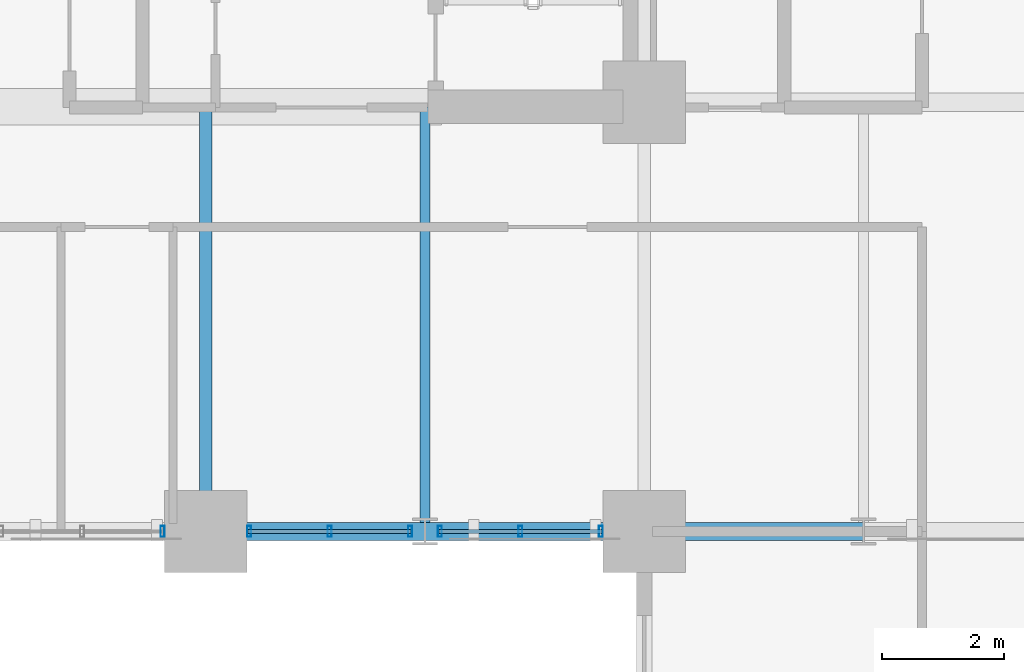
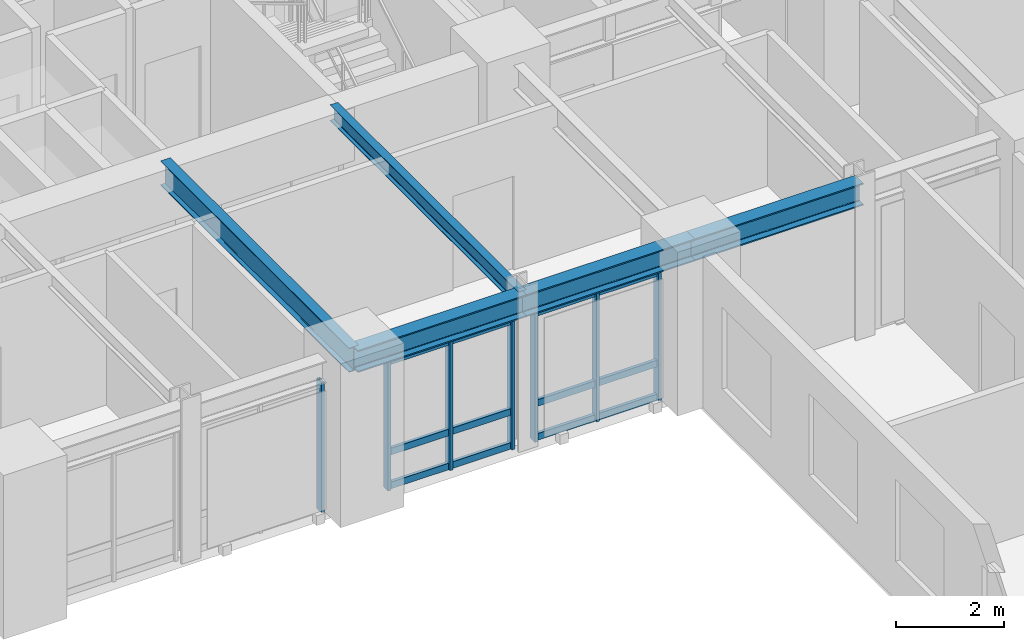
# One storey, part 5 of 17: 13 members, 5 beams, 3 elements without a shape of their own.
"""IFC4 building model written with IfcOpenShell, lengths in metres."""

from ifc_helpers import new_model, si_unit, direction, frame, origin, origin_2d, place, context, subcontext, project, spatial, hollow_rectangle, i_section, extrude, source, transform, mapped, material, layer, layer_set, material_profile, profile_set, type_object, element, aggregate, save


model = new_model("IFC4")

# Units and contexts
model_context = context("Model", 3, precision=1e-05, world=origin(), true_north=direction((0.0, 1.0)))
body_context = subcontext(model_context, "Body", "Model", "MODEL_VIEW")
ifc_project = project(units=[si_unit("LENGTHUNIT", "METRE"), si_unit("AREAUNIT", "SQUARE_METRE"), si_unit("VOLUMEUNIT", "CUBIC_METRE"), si_unit("PLANEANGLEUNIT", "RADIAN"), si_unit("MASSUNIT", "GRAM", prefix="KILO")], contexts=[model_context])

# Site, building, storey
site_placement = place(None, origin())
site = spatial("IfcSite", under=ifc_project, at=site_placement, CompositionType="ELEMENT")
building_placement = place(site_placement, origin())
building = spatial("IfcBuilding", under=site, at=building_placement, Name="Kaliganga Portal Commons", CompositionType="ELEMENT")
storey_placement = place(building_placement, frame((0.0, 0.0, 43.800048828125)))
storey = spatial("IfcBuildingStorey", under=building, at=storey_placement, Name="L10", CompositionType="ELEMENT", Elevation=43.800048828125)

# Beams
ifc_material_1 = material(Name="Structural steel S355J2", Category="steel")
ifc_material_profile_1 = material_profile(ifc_material_1, i_section(OverallWidth=0.300048828125, OverallDepth=0.5, WebThickness=0.014404296875, FlangeThickness=0.028076171875, FilletRadius=0.027099609375, at=origin_2d()), Name="HE 500 B")
ifc_profile_set_1 = profile_set([ifc_material_profile_1], Name="Structural steel S355J2 wide-flange")
beam_type_1 = type_object("IfcBeamType", Name="BM-SPAND-500", PredefinedType="SPANDREL", material=ifc_profile_set_1)
shared_shape_1 = source(origin(), body_context, "Body", "SweptSolid", [
    extrude(i_section(OverallWidth=0.300048828125, OverallDepth=0.5, WebThickness=0.014404296875, FlangeThickness=0.028076171875, FilletRadius=0.027099609375, at=origin_2d()), origin(), (0.0, 0.0, 1.0), 3.60009765625),
])
beam_1_placement = place(storey_placement, frame((25.199951171875, 21.60009765625, 3.199951171875), z_axis=(1.0, 0.0, 0.0), x_axis=(0.0, 1.0, 0.0)))
element("IfcBeam", 1, at=beam_1_placement, inside=storey, type_object=beam_type_1, Name="BM SP L10 AS 4", PredefinedType="SPANDREL", context=body_context, shape_type="MappedRepresentation", body=[
    mapped(shared_shape_1, transform((0.0, 0.0, 0.0), x_axis=(1.0, 0.0, 0.0), y_axis=(0.0, 1.0, 0.0), z_axis=(0.0, 0.0, 1.0), scale=1.0)),
])
shared_shape_2 = source(origin(), body_context, "Body", "SweptSolid", [
    extrude(i_section(OverallWidth=0.300048828125, OverallDepth=0.5, WebThickness=0.014404296875, FlangeThickness=0.028076171875, FilletRadius=0.027099609375, at=origin_2d()), origin(), (0.0, 0.0, 1.0), 3.599853515625),
])
for number, where, z_axis, x_axis, name in (
    (2, (21.60009765625, 21.60009765625, 3.199951171875), (1.0, 0.0, 0.0), (0.0, 1.0, 0.0), "BM SP L10 AS 3"),
    (3, (28.800048828125, 21.60009765625, 3.199951171875), (1.0, 0.0, 0.0), (0.0, 1.0, 0.0), "BM SP L10 AS 5"),
):
    element("IfcBeam", number, at=place(storey_placement, frame(where, z_axis=z_axis, x_axis=x_axis)), inside=storey, type_object=beam_type_1, Name=name, PredefinedType="SPANDREL", context=body_context, shape_type="MappedRepresentation", body=[
        mapped(shared_shape_2, transform((0.0, 0.0, 0.0), x_axis=(1.0, 0.0, 0.0), y_axis=(0.0, 1.0, 0.0), z_axis=(0.0, 0.0, 1.0), scale=1.0)),
    ])
ifc_material_profile_2 = material_profile(ifc_material_1, i_section(OverallWidth=0.169921875, OverallDepth=0.360107421875, WebThickness=0.008056640625, FlangeThickness=0.0126953125, FilletRadius=0.01806640625, at=origin_2d()), Name="IPE 360")
ifc_profile_set_2 = profile_set([ifc_material_profile_2], Name="Structural steel S355J2 wide-flange")
beam_type_2 = type_object("IfcBeamType", Name="BM-JST-360", PredefinedType="JOIST", material=ifc_profile_set_2)
shared_shape_3 = source(origin(), body_context, "Body", "SweptSolid", [
    extrude(i_section(OverallWidth=0.169921875, OverallDepth=0.360107421875, WebThickness=0.008056640625, FlangeThickness=0.0126953125, FilletRadius=0.01806640625, at=origin_2d()), origin(), (0.0, 0.0, 1.0), 6.974853515625),
])
beam_2_placement = place(storey_placement, frame((25.199951171875, 21.60009765625, 3.27001953125), z_axis=(0.0, 1.0, 0.0), x_axis=(-1.0, 0.0, 0.0)))
element("IfcBeam", 4, at=beam_2_placement, inside=storey, type_object=beam_type_2, Name="BM G L10 AS252", PredefinedType="JOIST", context=body_context, shape_type="MappedRepresentation", body=[
    mapped(shared_shape_3, transform((0.0, 0.0, 0.0), x_axis=(1.0, 0.0, 0.0), y_axis=(0.0, 1.0, 0.0), z_axis=(0.0, 0.0, 1.0), scale=1.0)),
])
ifc_material_profile_3 = material_profile(ifc_material_1, i_section(OverallWidth=0.2099609375, OverallDepth=0.550048828125, WebThickness=0.010986328125, FlangeThickness=0.01708984375, FilletRadius=0.02392578125, at=origin_2d()), Name="IPE 550")
ifc_profile_set_3 = profile_set([ifc_material_profile_3], Name="Structural steel S355J2 wide-flange")
beam_type_3 = type_object("IfcBeamType", Name="BM-FLR-550", PredefinedType="BEAM", material=ifc_profile_set_3)
shared_shape_4 = source(origin(), body_context, "Body", "SweptSolid", [
    extrude(i_section(OverallWidth=0.2099609375, OverallDepth=0.550048828125, WebThickness=0.010986328125, FlangeThickness=0.01708984375, FilletRadius=0.02392578125, at=origin_2d()), origin(), (0.0, 0.0, 1.0), 6.974853515625),
])
beam_3_placement = place(storey_placement, frame((21.60009765625, 21.60009765625, 3.175048828125), z_axis=(0.0, 1.0, 0.0), x_axis=(-1.0, 0.0, 0.0)))
element("IfcBeam", 5, at=beam_3_placement, inside=storey, type_object=beam_type_3, Name="BM G L10 AS216", PredefinedType="BEAM", context=body_context, shape_type="MappedRepresentation", body=[
    mapped(shared_shape_4, transform((0.0, 0.0, 0.0), x_axis=(1.0, 0.0, 0.0), y_axis=(0.0, 1.0, 0.0), z_axis=(0.0, 0.0, 1.0), scale=1.0)),
])

# Curtain wall, member
ifc_material_2 = material(Name="Anodized Aluminium and Laminated Low-E Glass", Category="aluminium")
ifc_layer = layer(ifc_material_2, 0.2099609375)
ifc_layer_set = layer_set([ifc_layer], Name="Anodized Aluminium and Laminated Low-E Glass")
curtain_wall_type = type_object("IfcCurtainWallType", Name="CW-SYS-03", PredefinedType="NOTDEFINED", material=ifc_layer_set)
curtain_wall_1_placement = place(storey_placement, origin())
curtain_wall_1 = element("IfcCurtainWall", 6, at=curtain_wall_1_placement, inside=storey, type_object=curtain_wall_type, Name="CW 03 L10 P1E04S3", PredefinedType="NOTDEFINED")
ifc_material_3 = material(Name="Dark Bronze Anodized Aluminium", Category="aluminium")
ifc_material_profile_4 = material_profile(ifc_material_3, hollow_rectangle(XDim=0.06494140625, YDim=0.179931640625, WallThickness=0.00390625, at=origin_2d()), Name="ALU MULL 65x180x4")
ifc_profile_set_4 = profile_set([ifc_material_profile_4], Name="Dark Bronze Anodized Aluminium")
member_type_1 = type_object("IfcMemberType", Name="CW-MUL-180", PredefinedType="MULLION", material=ifc_profile_set_4)
shared_shape_5 = source(origin(), body_context, "Body", "SweptSolid", [
    extrude(hollow_rectangle(XDim=0.06494140625, YDim=0.179931640625, WallThickness=0.00390625, at=origin_2d()), origin(), (0.0, 0.0, 1.0), 2.949951171875),
])
member_1_placement = place(storey_placement, frame((20.888916015625, 21.60009765625, 0.0), z_axis=(0.0, 0.0, 1.0), x_axis=(1.0, 0.0, 0.0)))
member_1 = element("IfcMember", 7, at=member_1_placement, type_object=member_type_1, Name="CW:03:L10:P1E04S3 Mullion 02", PredefinedType="MULLION", context=body_context, shape_type="MappedRepresentation", body=[
    mapped(shared_shape_5, transform((0.0, 0.0, 0.0), x_axis=(1.0, 0.0, 0.0), y_axis=(0.0, 1.0, 0.0), z_axis=(0.0, 0.0, 1.0), scale=1.0)),
])
aggregate(curtain_wall_1, [member_1])

# Curtain wall, members
curtain_wall_2_placement = place(storey_placement, origin())
curtain_wall_2 = element("IfcCurtainWall", 8, at=curtain_wall_2_placement, inside=storey, type_object=curtain_wall_type, Name="CW 03 L10 P1E04S4", PredefinedType="NOTDEFINED")
member_2_placement = place(storey_placement, frame((22.31103515625, 21.60009765625, 0.0), z_axis=(0.0, 0.0, 1.0), x_axis=(1.0, 0.0, 0.0)))
member_2 = element("IfcMember", 9, at=member_2_placement, type_object=member_type_1, Name="CW:03:L10:P1E04S4 Mullion 00", PredefinedType="MULLION", context=body_context, shape_type="MappedRepresentation", body=[
    mapped(shared_shape_5, transform((0.0, 0.0, 0.0), x_axis=(1.0, 0.0, 0.0), y_axis=(0.0, 1.0, 0.0), z_axis=(0.0, 0.0, 1.0), scale=1.0)),
])
member_3_placement = place(storey_placement, frame((23.633544921875, 21.60009765625, 0.0), z_axis=(0.0, 0.0, 1.0), x_axis=(1.0, 0.0, 0.0)))
member_3 = element("IfcMember", 10, at=member_3_placement, type_object=member_type_1, Name="CW:03:L10:P1E04S4 Mullion 01", PredefinedType="MULLION", context=body_context, shape_type="MappedRepresentation", body=[
    mapped(shared_shape_5, transform((0.0, 0.0, 0.0), x_axis=(1.0, 0.0, 0.0), y_axis=(0.0, 1.0, 0.0), z_axis=(0.0, 0.0, 1.0), scale=1.0)),
])
member_4_placement = place(storey_placement, frame((24.9560546875, 21.60009765625, 0.0), z_axis=(0.0, 0.0, 1.0), x_axis=(1.0, 0.0, 0.0)))
member_4 = element("IfcMember", 11, at=member_4_placement, type_object=member_type_1, Name="CW:03:L10:P1E04S4 Mullion 02", PredefinedType="MULLION", context=body_context, shape_type="MappedRepresentation", body=[
    mapped(shared_shape_5, transform((0.0, 0.0, 0.0), x_axis=(1.0, 0.0, 0.0), y_axis=(0.0, 1.0, 0.0), z_axis=(0.0, 0.0, 1.0), scale=1.0)),
])

curtain_wall_3_placement = place(storey_placement, origin())
curtain_wall_3 = element("IfcCurtainWall", 12, at=curtain_wall_3_placement, inside=storey, type_object=curtain_wall_type, Name="CW 03 L10 P1E04S5", PredefinedType="NOTDEFINED")
member_5_placement = place(storey_placement, frame((25.444091796875, 21.60009765625, 0.0), z_axis=(0.0, 0.0, 1.0), x_axis=(1.0, 0.0, 0.0)))
member_5 = element("IfcMember", 13, at=member_5_placement, type_object=member_type_1, Name="CW:03:L10:P1E04S5 Mullion 00", PredefinedType="MULLION", context=body_context, shape_type="MappedRepresentation", body=[
    mapped(shared_shape_5, transform((0.0, 0.0, 0.0), x_axis=(1.0, 0.0, 0.0), y_axis=(0.0, 1.0, 0.0), z_axis=(0.0, 0.0, 1.0), scale=1.0)),
])
member_6_placement = place(storey_placement, frame((26.7666015625, 21.60009765625, 0.0), z_axis=(0.0, 0.0, 1.0), x_axis=(1.0, 0.0, 0.0)))
member_6 = element("IfcMember", 14, at=member_6_placement, type_object=member_type_1, Name="CW:03:L10:P1E04S5 Mullion 01", PredefinedType="MULLION", context=body_context, shape_type="MappedRepresentation", body=[
    mapped(shared_shape_5, transform((0.0, 0.0, 0.0), x_axis=(1.0, 0.0, 0.0), y_axis=(0.0, 1.0, 0.0), z_axis=(0.0, 0.0, 1.0), scale=1.0)),
])
member_7_placement = place(storey_placement, frame((28.089111328125, 21.60009765625, 0.0), z_axis=(0.0, 0.0, 1.0), x_axis=(1.0, 0.0, 0.0)))
member_7 = element("IfcMember", 15, at=member_7_placement, type_object=member_type_1, Name="CW:03:L10:P1E04S5 Mullion 02", PredefinedType="MULLION", context=body_context, shape_type="MappedRepresentation", body=[
    mapped(shared_shape_5, transform((0.0, 0.0, 0.0), x_axis=(1.0, 0.0, 0.0), y_axis=(0.0, 1.0, 0.0), z_axis=(0.0, 0.0, 1.0), scale=1.0)),
])

# Member
ifc_material_profile_5 = material_profile(ifc_material_3, hollow_rectangle(XDim=0.070068359375, YDim=0.14990234375, WallThickness=0.00341796875, at=origin_2d()), Name="ALU TRAN 70x150x3.5")
ifc_profile_set_5 = profile_set([ifc_material_profile_5], Name="Dark Bronze Anodized Aluminium")
member_type_2 = type_object("IfcMemberType", Name="CW-TRN-150", PredefinedType="USERDEFINED", material=ifc_profile_set_5)
shared_shape_6 = source(origin(), body_context, "Body", "SweptSolid", [
    extrude(hollow_rectangle(XDim=0.070068359375, YDim=0.14990234375, WallThickness=0.00341796875, at=origin_2d()), origin(), (0.0, 0.0, 1.0), 2.675048828125),
])
member_8_placement = place(storey_placement, frame((22.2958984375, 21.60009765625, 0.06005859375), z_axis=(1.0, 0.0, 0.0), x_axis=(0.0, 1.0, 0.0)))
member_8 = element("IfcMember", 16, at=member_8_placement, type_object=member_type_2, Name="CW:03:L10:P1E04S4 Transom 1", ObjectType="TRANSOM", PredefinedType="USERDEFINED", context=body_context, shape_type="MappedRepresentation", body=[
    mapped(shared_shape_6, transform((0.0, 0.0, 0.0), x_axis=(1.0, 0.0, 0.0), y_axis=(0.0, 1.0, 0.0), z_axis=(0.0, 0.0, 1.0), scale=1.0)),
])

member_9_placement = place(storey_placement, frame((22.2958984375, 21.60009765625, 0.825927734375), z_axis=(1.0, 0.0, 0.0), x_axis=(0.0, 1.0, 0.0)))
member_9 = element("IfcMember", 17, at=member_9_placement, type_object=member_type_2, Name="CW:03:L10:P1E04S4 Transom 2", ObjectType="TRANSOM", PredefinedType="USERDEFINED", context=body_context, shape_type="MappedRepresentation", body=[
    mapped(shared_shape_6, transform((0.0, 0.0, 0.0), x_axis=(1.0, 0.0, 0.0), y_axis=(0.0, 1.0, 0.0), z_axis=(0.0, 0.0, 1.0), scale=1.0)),
])

member_10_placement = place(storey_placement, frame((22.2958984375, 21.60009765625, 2.869873046875), z_axis=(1.0, 0.0, 0.0), x_axis=(0.0, 1.0, 0.0)))
member_10 = element("IfcMember", 18, at=member_10_placement, type_object=member_type_2, Name="CW:03:L10:P1E04S4 Transom 3", ObjectType="TRANSOM", PredefinedType="USERDEFINED", context=body_context, shape_type="MappedRepresentation", body=[
    mapped(shared_shape_6, transform((0.0, 0.0, 0.0), x_axis=(1.0, 0.0, 0.0), y_axis=(0.0, 1.0, 0.0), z_axis=(0.0, 0.0, 1.0), scale=1.0)),
])

aggregate(curtain_wall_2, [member_2, member_3, member_4, member_8, member_9, member_10])

member_11_placement = place(storey_placement, frame((25.428955078125, 21.60009765625, 0.06005859375), z_axis=(1.0, 0.0, 0.0), x_axis=(0.0, 1.0, 0.0)))
member_11 = element("IfcMember", 19, at=member_11_placement, type_object=member_type_2, Name="CW:03:L10:P1E04S5 Transom 1", ObjectType="TRANSOM", PredefinedType="USERDEFINED", context=body_context, shape_type="MappedRepresentation", body=[
    mapped(shared_shape_6, transform((0.0, 0.0, 0.0), x_axis=(1.0, 0.0, 0.0), y_axis=(0.0, 1.0, 0.0), z_axis=(0.0, 0.0, 1.0), scale=1.0)),
])

member_12_placement = place(storey_placement, frame((25.428955078125, 21.60009765625, 0.825927734375), z_axis=(1.0, 0.0, 0.0), x_axis=(0.0, 1.0, 0.0)))
member_12 = element("IfcMember", 20, at=member_12_placement, type_object=member_type_2, Name="CW:03:L10:P1E04S5 Transom 2", ObjectType="TRANSOM", PredefinedType="USERDEFINED", context=body_context, shape_type="MappedRepresentation", body=[
    mapped(shared_shape_6, transform((0.0, 0.0, 0.0), x_axis=(1.0, 0.0, 0.0), y_axis=(0.0, 1.0, 0.0), z_axis=(0.0, 0.0, 1.0), scale=1.0)),
])

member_13_placement = place(storey_placement, frame((25.428955078125, 21.60009765625, 2.869873046875), z_axis=(1.0, 0.0, 0.0), x_axis=(0.0, 1.0, 0.0)))
member_13 = element("IfcMember", 21, at=member_13_placement, type_object=member_type_2, Name="CW:03:L10:P1E04S5 Transom 3", ObjectType="TRANSOM", PredefinedType="USERDEFINED", context=body_context, shape_type="MappedRepresentation", body=[
    mapped(shared_shape_6, transform((0.0, 0.0, 0.0), x_axis=(1.0, 0.0, 0.0), y_axis=(0.0, 1.0, 0.0), z_axis=(0.0, 0.0, 1.0), scale=1.0)),
])

aggregate(curtain_wall_3, [member_5, member_6, member_7, member_11, member_12, member_13])

save(model, "model.ifc")
